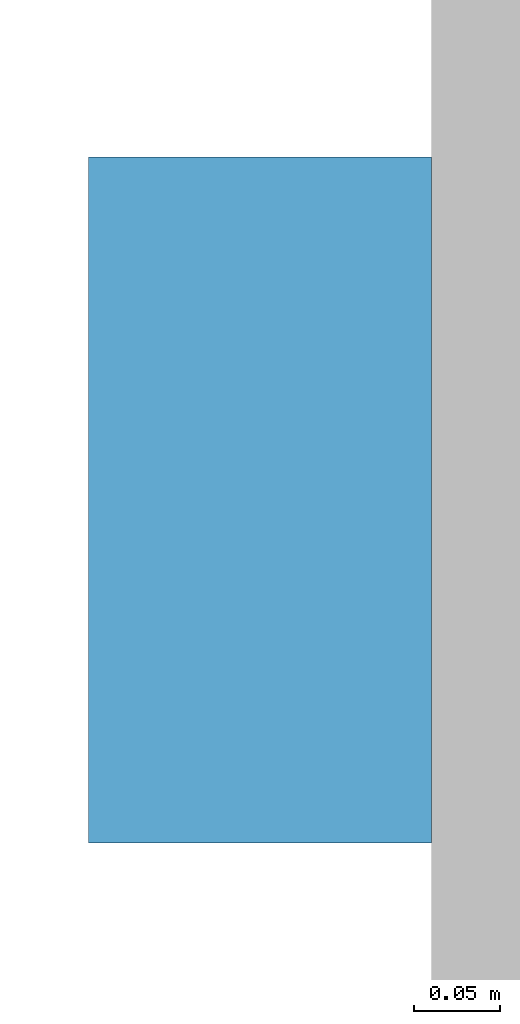
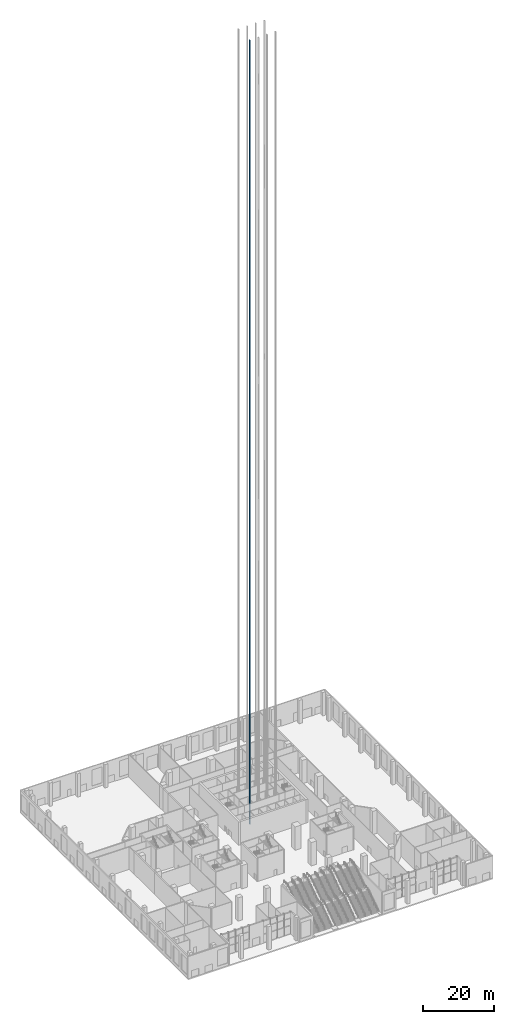
# One storey, part 21 of 32: 1 discrete accessory.
"""IFC4 building model written with IfcOpenShell, lengths in metres."""

from ifc_helpers import new_model, si_unit, direction, frame, origin, origin_2d, place, context, subcontext, project, spatial, rectangle, extrude, material, element, save


model = new_model("IFC4")

# Units and contexts
model_context = context("Model", 3, precision=1e-05, world=origin(), true_north=direction((0.0, 1.0)))
body_context = subcontext(model_context, "Body", "Model", "MODEL_VIEW")
ifc_project = project(units=[si_unit("LENGTHUNIT", "METRE"), si_unit("AREAUNIT", "SQUARE_METRE"), si_unit("VOLUMEUNIT", "CUBIC_METRE"), si_unit("PLANEANGLEUNIT", "RADIAN"), si_unit("MASSUNIT", "GRAM", prefix="KILO")], contexts=[model_context])

# Site, building, storey
site_placement = place(None, origin())
site = spatial("IfcSite", under=ifc_project, at=site_placement, CompositionType="ELEMENT")
building_placement = place(site_placement, origin())
building = spatial("IfcBuilding", under=site, at=building_placement, Name="Quoin Convention Tower", CompositionType="ELEMENT")
storey_placement = place(building_placement, origin())
storey = spatial("IfcBuildingStorey", under=building, at=storey_placement, Name="L00", CompositionType="ELEMENT", Elevation=0.0)

# Discrete accessory
ifc_material = material(Name="Galvanised steel", Category="steel")
discrete_accessory_placement = place(storey_placement, frame((53.25, 57.60009765625, -0.35009765625), z_axis=(0.0, 0.0, 1.0), x_axis=(1.0, 0.0, 0.0)))
element("IfcDiscreteAccessory", 1, at=discrete_accessory_placement, inside=storey, material=ifc_material, Name="LIFT GUIDE RAILS H1", ObjectType="Lift guide rails", PredefinedType="USERDEFINED", context=body_context, shape_type="SweptSolid", body=[
    extrude(rectangle(XDim=0.199951171875, YDim=0.39990234375, at=origin_2d()), origin(), (0.0, 0.0, 1.0), 268.800048828125),
])

save(model, "model.ifc")
